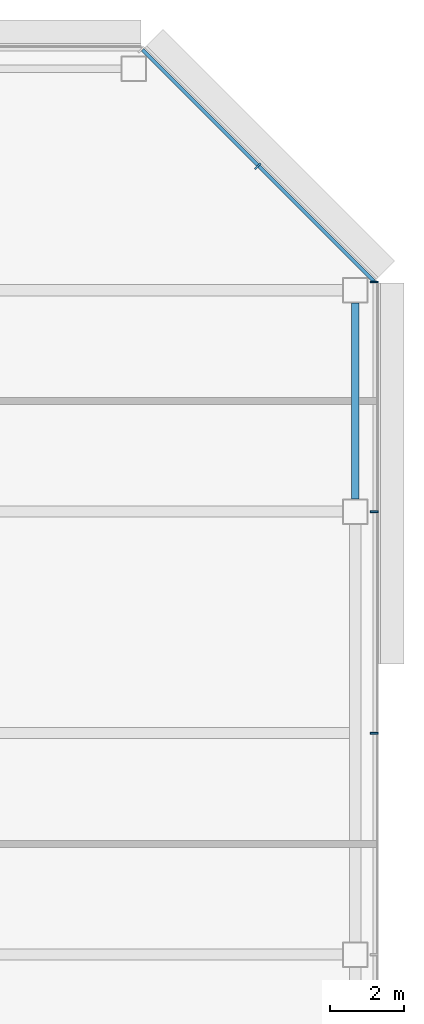
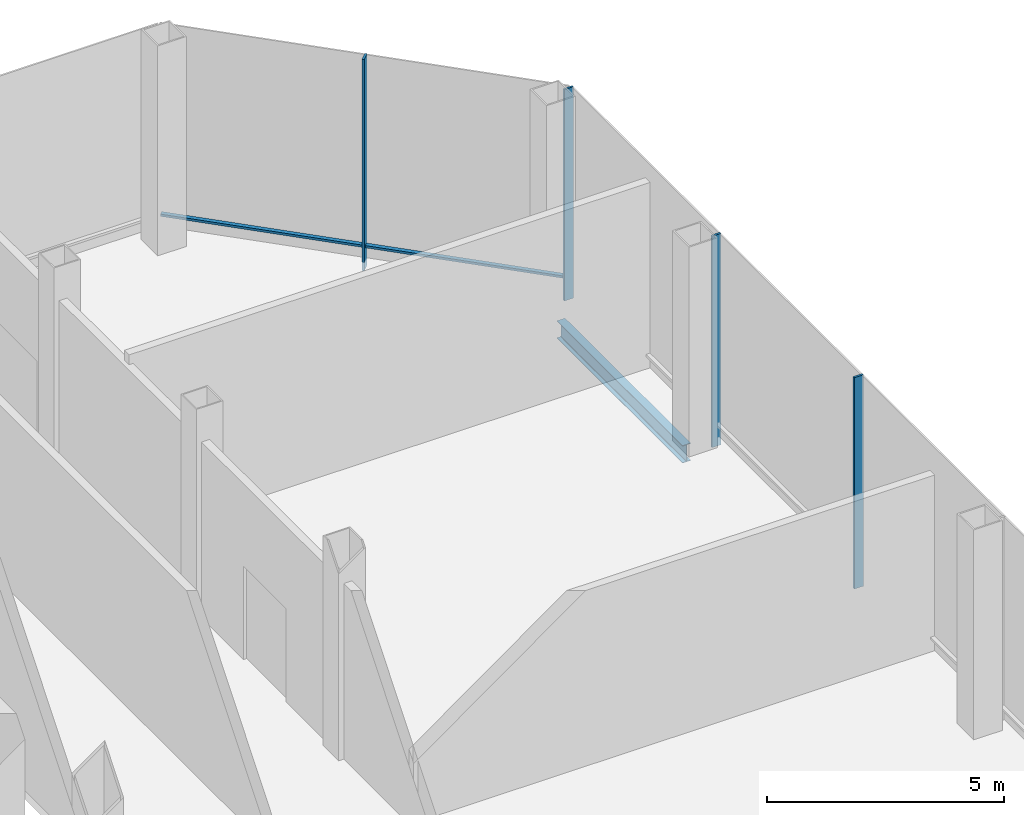
# One storey, part 14 of 24: 5 members, 1 beam, 2 elements without a shape of their own.
"""IFC4 building model written with IfcOpenShell, lengths in metres."""

from ifc_helpers import new_model, si_unit, direction, frame, origin, origin_2d, place, context, subcontext, project, spatial, rectangle, i_section, extrude, material, material_profile, profile_set, type_object, element, aggregate, save


model = new_model("IFC4")

# Units and contexts
model_context = context("Model", 3, precision=1e-05, world=origin(), true_north=direction((0.0, 1.0)))
body_context = subcontext(model_context, "Body", "Model", "MODEL_VIEW")
ifc_project = project(units=[si_unit("LENGTHUNIT", "METRE"), si_unit("AREAUNIT", "SQUARE_METRE"), si_unit("VOLUMEUNIT", "CUBIC_METRE"), si_unit("PLANEANGLEUNIT", "RADIAN"), si_unit("MASSUNIT", "GRAM", prefix="KILO")], contexts=[model_context])

# Site, building, storey
site_placement = place(None, origin())
site = spatial("IfcSite", under=ifc_project, at=site_placement, CompositionType="ELEMENT")
building_placement = place(site_placement, origin())
building = spatial("IfcBuilding", under=site, at=building_placement, Name="Sorahane Residences", CompositionType="ELEMENT")
storey_placement = place(building_placement, frame((0.0, 0.0, 161.800048828125)))
storey = spatial("IfcBuildingStorey", under=building, at=storey_placement, Name="L37", CompositionType="ELEMENT", Elevation=161.800048828125)

# Curtain wall, members
ifc_material_1 = material(Name="Dark low-e glass and black anodised aluminium", Category="aluminium")
curtain_wall_type = type_object("IfcCurtainWallType", Name="Curtain wall CW-4 Sky floor frameless wall", PredefinedType="NOTDEFINED", material=ifc_material_1)
curtain_wall_1_placement = place(storey_placement, origin())
curtain_wall_1 = element("IfcCurtainWall", 1, at=curtain_wall_1_placement, inside=storey, type_object=curtain_wall_type, Name="CW-4 curtain wall L37 E1", PredefinedType="NOTDEFINED")
ifc_material_2 = material(Name="Black anodised aluminium", Category="aluminium")
ifc_material_profile_1 = material_profile(ifc_material_2, rectangle(XDim=0.219970703125, YDim=0.050048828125, at=origin_2d()), Name="Curtain wall mullion CW-4 black anodised aluminium 50x220")
ifc_profile_set_1 = profile_set([ifc_material_profile_1], Name="Black anodised aluminium")
member_type_1 = type_object("IfcMemberType", Name="Curtain wall mullion CW-4 black anodised aluminium 50x220", PredefinedType="MULLION", material=ifc_profile_set_1)
member_1_placement = place(storey_placement, frame((60.510009765625, 30.0, -0.219970703125), z_axis=(0.0, 0.0, 1.0), x_axis=(1.0, 0.0, 0.0)))
member_1 = element("IfcMember", 2, at=member_1_placement, type_object=member_type_1, Name="CW-4 mullion L37 E1.5", PredefinedType="MULLION", context=body_context, shape_type="SweptSolid", body=[
    extrude(rectangle(XDim=0.219970703125, YDim=0.050048828125, at=origin_2d()), origin(), (0.0, 0.0, 1.0), 5.43994140625),
])
member_2_placement = place(storey_placement, frame((60.510009765625, 36.0, -0.219970703125), z_axis=(0.0, 0.0, 1.0), x_axis=(1.0, 0.0, 0.0)))
member_2 = element("IfcMember", 3, at=member_2_placement, type_object=member_type_1, Name="CW-4 mullion L37 E1.6", PredefinedType="MULLION", context=body_context, shape_type="SweptSolid", body=[
    extrude(rectangle(XDim=0.219970703125, YDim=0.050048828125, at=origin_2d()), origin(), (0.0, 0.0, 1.0), 5.43994140625),
])
member_3_placement = place(storey_placement, frame((60.510009765625, 42.2236328125, -0.219970703125), z_axis=(0.0, 0.0, 1.0), x_axis=(1.0, 0.0, 0.0)))
member_3 = element("IfcMember", 4, at=member_3_placement, type_object=member_type_1, Name="CW-4 mullion L37 E1.7", PredefinedType="MULLION", context=body_context, shape_type="SweptSolid", body=[
    extrude(rectangle(XDim=0.219970703125, YDim=0.050048828125, at=origin_2d()), origin(), (0.0, 0.0, 1.0), 5.43994140625),
])
aggregate(curtain_wall_1, [member_1, member_2, member_3])

curtain_wall_2_placement = place(storey_placement, origin())
curtain_wall_2 = element("IfcCurtainWall", 5, at=curtain_wall_2_placement, inside=storey, type_object=curtain_wall_type, Name="CW-4 curtain wall L37 NE1", PredefinedType="NOTDEFINED")
member_4_placement = place(storey_placement, frame((57.360595703125, 45.360595703125, -0.219970703125), z_axis=(0.0, 0.0, 1.0), x_axis=(0.707106781187, 0.707106781187, 0.0)))
member_4 = element("IfcMember", 6, at=member_4_placement, type_object=member_type_1, Name="CW-4 mullion L37 NE1.2", PredefinedType="MULLION", context=body_context, shape_type="SweptSolid", body=[
    extrude(rectangle(XDim=0.219970703125, YDim=0.050048828125, at=origin_2d()), origin(), (0.0, 0.0, 1.0), 5.43994140625),
])
ifc_material_3 = material(Name="Black anodised aluminium", Category="aluminium")
ifc_material_profile_2 = material_profile(ifc_material_3, rectangle(XDim=0.10009765625, YDim=0.06005859375, at=origin_2d()), Name="Curtain wall transom CW-4 black anodised aluminium 60x100")
ifc_profile_set_2 = profile_set([ifc_material_profile_2], Name="Black anodised aluminium")
member_type_2 = type_object("IfcMemberType", Name="Curtain wall transom CW-4 black anodised aluminium 60x100", PredefinedType="USERDEFINED", material=ifc_profile_set_2)
member_5_placement = place(storey_placement, frame((60.51513671875, 42.234375, 0.349853515625), z_axis=(-0.707106781187, 0.707106781187, 0.0), x_axis=(-0.707106781187, -0.707106781187, 0.0)))
member_5 = element("IfcMember", 7, at=member_5_placement, type_object=member_type_2, Name="CW-4 transom L37 NE1", ObjectType="TRANSOM", PredefinedType="USERDEFINED", context=body_context, shape_type="SweptSolid", body=[
    extrude(rectangle(XDim=0.10009765625, YDim=0.06005859375, at=origin_2d()), origin(), (0.0, 0.0, 1.0), 8.88232421875),
])
aggregate(curtain_wall_2, [member_4, member_5])

# Beam
ifc_material_4 = material(Name="Steel Q355B", Category="steel")
ifc_material_profile_3 = material_profile(ifc_material_4, i_section(OverallWidth=0.199951171875, OverallDepth=0.449951171875, WebThickness=0.009033203125, FlangeThickness=0.013916015625, FilletRadius=0.02001953125, at=origin_2d()), Name="HN 450x200x9x14")
ifc_profile_set_3 = profile_set([ifc_material_profile_3], Name="Steel Q355B")
beam_type = type_object("IfcBeamType", Name="Steel floor beam HN 450x200x9x14 Q355B", PredefinedType="BEAM", material=ifc_profile_set_3)
beam_placement = place(storey_placement, frame((60.0, 36.35009765625, -0.445068359375), z_axis=(0.0, 1.0, 0.0), x_axis=(-1.0, 0.0, 0.0)))
element("IfcBeam", 8, at=beam_placement, inside=storey, type_object=beam_type, Name="Beam L37 067", PredefinedType="BEAM", context=body_context, shape_type="SweptSolid", body=[
    extrude(i_section(OverallWidth=0.199951171875, OverallDepth=0.449951171875, WebThickness=0.009033203125, FlangeThickness=0.013916015625, FilletRadius=0.02001953125, at=origin_2d()), origin(), (0.0, 0.0, 1.0), 5.2998046875),
])

save(model, "model.ifc")
